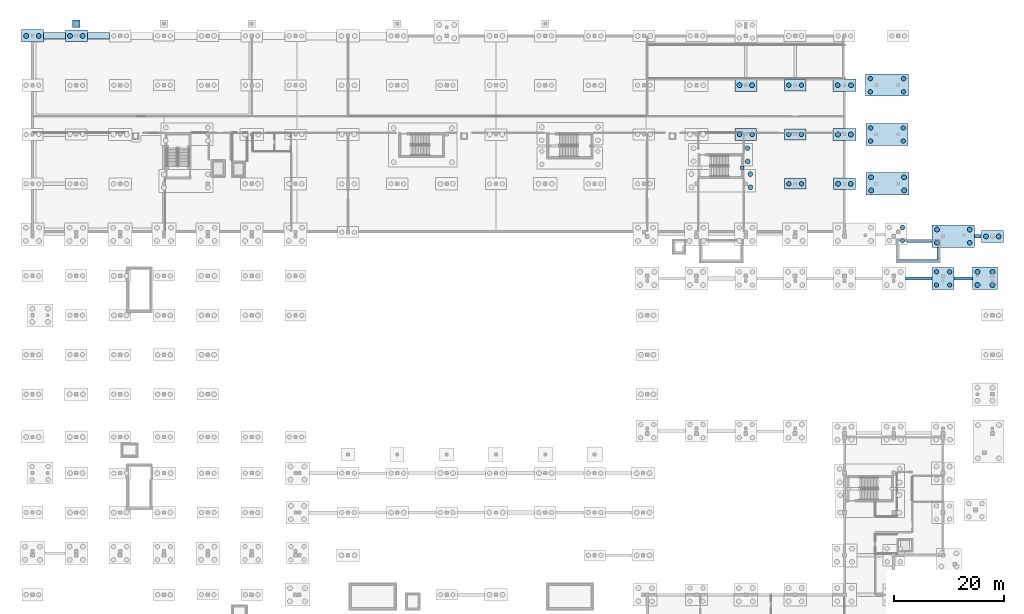
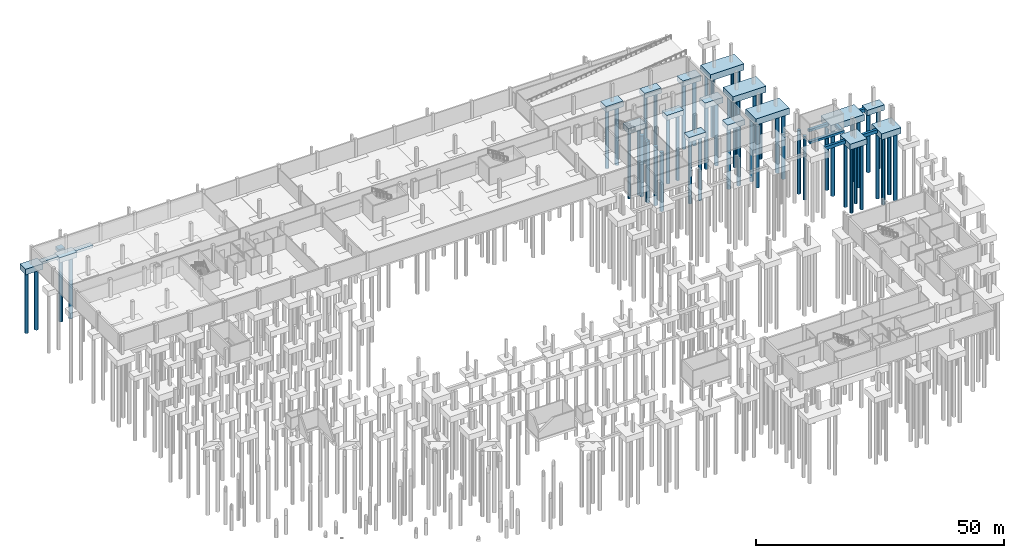
# One storey, part 11 of 36: 52 piles, 27 footings.
"""IFC4 building model written with IfcOpenShell, lengths in metres."""

from ifc_helpers import new_model, si_unit, direction, frame, origin, origin_2d, place, context, subcontext, project, spatial, rectangle, circle, extrude, material, layer, layer_set, material_profile, profile_set, type_object, element, save


model = new_model("IFC4")

# Units and contexts
model_context = context("Model", 3, precision=1e-05, world=origin(), true_north=direction((0.0, 1.0)))
body_context = subcontext(model_context, "Body", "Model", "MODEL_VIEW")
ifc_project = project(units=[si_unit("LENGTHUNIT", "METRE"), si_unit("AREAUNIT", "SQUARE_METRE"), si_unit("VOLUMEUNIT", "CUBIC_METRE"), si_unit("PLANEANGLEUNIT", "RADIAN"), si_unit("MASSUNIT", "GRAM", prefix="KILO")], contexts=[model_context])

# Site, building, storey
site_placement = place(None, origin())
site = spatial("IfcSite", under=ifc_project, at=site_placement, CompositionType="ELEMENT")
building_placement = place(site_placement, origin())
building = spatial("IfcBuilding", under=site, at=building_placement, Name="Chiffa Square Polytechnic", CompositionType="ELEMENT")
storey_placement = place(building_placement, frame((0.0, 0.0, -4.5)))
storey = spatial("IfcBuildingStorey", under=building, at=storey_placement, Name="B1", CompositionType="ELEMENT", Elevation=-4.5)

# Footings
ifc_material = material(Name="Concrete C35/45", Category="concrete")
ifc_layer_1 = layer(ifc_material, 0.81005859375, Name="Concrete C35/45")
ifc_layer_set_1 = layer_set([ifc_layer_1], Name="Concrete C35/45")
footing_type_1 = type_object("IfcFootingType", Name="FTG-BEAM-580X810", PredefinedType="FOOTING_BEAM", material=ifc_layer_set_1)
footing_1_placement = place(storey_placement, frame((161.787109375, 86.52490234375, -0.81005859375), z_axis=(0.0, 0.0, 1.0), x_axis=(1.0, 0.0, 0.0)))
element("IfcFooting", 1, at=footing_1_placement, inside=storey, type_object=footing_type_1, Name="Footing tie beam FB-B1-043", PredefinedType="FOOTING_BEAM", context=body_context, shape_type="SweptSolid", body=[
    extrude(rectangle(XDim=4.81494140625, YDim=0.580078125, at=origin_2d()), origin(), (0.0, 0.0, 1.0), 0.81005859375),
])
ifc_layer_2 = layer(ifc_material, 0.8349609375, Name="Concrete C35/45")
ifc_layer_set_2 = layer_set([ifc_layer_2], Name="Concrete C35/45")
footing_type_2 = type_object("IfcFootingType", Name="FTG-BEAM-600X835", PredefinedType="FOOTING_BEAM", material=ifc_layer_set_2)
footing_2_placement = place(storey_placement, frame((169.886962890625, 86.52490234375, -0.83544921875), z_axis=(0.0, 0.0, 1.0), x_axis=(1.0, 0.0, 0.0)))
element("IfcFooting", 2, at=footing_2_placement, inside=storey, type_object=footing_type_2, Name="Footing tie beam FB-B1-044", PredefinedType="FOOTING_BEAM", context=body_context, shape_type="SweptSolid", body=[
    extrude(rectangle(XDim=3.364990234375, YDim=0.60009765625, at=origin_2d()), origin(), (0.0, 0.0, 1.0), 0.8349609375),
])
ifc_layer_3 = layer(ifc_material, 0.860107421875, Name="Concrete C35/45")
ifc_layer_set_3 = layer_set([ifc_layer_3], Name="Concrete C35/45")
footing_type_3 = type_object("IfcFootingType", Name="FTG-BEAM-620X860", PredefinedType="FOOTING_BEAM", material=ifc_layer_set_3)
footing_3_placement = place(storey_placement, frame((172.574951171875, 94.25, -0.85986328125), z_axis=(0.0, 0.0, 1.0), x_axis=(1.0, 0.0, 0.0)))
element("IfcFooting", 3, at=footing_3_placement, inside=storey, type_object=footing_type_3, Name="Footing tie beam FB-B1-045", PredefinedType="FOOTING_BEAM", context=body_context, shape_type="SweptSolid", body=[
    extrude(rectangle(XDim=1.19091796875, YDim=0.6201171875, at=origin_2d()), origin(), (0.0, 0.0, 1.0), 0.860107421875),
])
ifc_layer_4 = layer(ifc_material, 0.89990234375, Name="Concrete C35/45")
ifc_layer_set_4 = layer_set([ifc_layer_4], Name="Concrete C35/45")
footing_type_4 = type_object("IfcFootingType", Name="FTG-PAD-1400X1400X900", PredefinedType="PAD_FOOTING", material=ifc_layer_set_4)
footing_4_placement = place(storey_placement, frame((8.0, 133.0, -0.89990234375), z_axis=(0.0, 0.0, 1.0), x_axis=(1.0, 0.0, 0.0)))
element("IfcFooting", 4, at=footing_4_placement, inside=storey, type_object=footing_type_4, Name="Apron slab support pad footing PF-APR-SUP-04", PredefinedType="PAD_FOOTING", context=body_context, shape_type="SweptSolid", body=[
    extrude(rectangle(XDim=1.39990234375, YDim=1.39990234375, at=origin_2d()), origin(), (0.0, 0.0, 1.0), 0.89990234375),
])
ifc_layer_5 = layer(ifc_material, 0.60009765625, Name="Concrete C35/45")
ifc_layer_set_5 = layer_set([ifc_layer_5], Name="Concrete C35/45")
footing_type_5 = type_object("IfcFootingType", Name="FTG-PAD-4559X620X600", PredefinedType="PAD_FOOTING", material=ifc_layer_set_5)
footing_5_placement = place(storey_placement, frame((161.89892578125, 93.39990234375, -0.60009765625), z_axis=(0.0, 0.0, 1.0), x_axis=(1.0, 0.0, 0.0)))
element("IfcFooting", 5, at=footing_5_placement, inside=storey, type_object=footing_type_5, Name="Core pad footing PFG-CORE-CORE-V2B-N1", PredefinedType="PAD_FOOTING", context=body_context, shape_type="SweptSolid", body=[
    extrude(rectangle(XDim=4.55908203125, YDim=0.6201171875, at=origin_2d()), origin(), (0.0, 0.0, 1.0), 0.60009765625),
])
ifc_layer_6 = layer(ifc_material, 0.60009765625, Name="Concrete C35/45")
ifc_layer_set_6 = layer_set([ifc_layer_6], Name="Concrete C35/45")
footing_type_6 = type_object("IfcFootingType", Name="FTG-PAD-620X2145X600", PredefinedType="PAD_FOOTING", material=ifc_layer_set_6)
footing_6_placement = place(storey_placement, frame((165.419921875, 91.10791015625, -0.60009765625), z_axis=(0.0, 0.0, 1.0), x_axis=(1.0, 0.0, 0.0)))
element("IfcFooting", 6, at=footing_6_placement, inside=storey, type_object=footing_type_6, Name="Core pad footing PFG-CORE-CORE-V2B-E1", PredefinedType="PAD_FOOTING", context=body_context, shape_type="SweptSolid", body=[
    extrude(rectangle(XDim=0.6201171875, YDim=2.14501953125, at=origin_2d()), origin(), (0.0, 0.0, 1.0), 0.60009765625),
])
ifc_layer_7 = layer(ifc_material, 0.60009765625, Name="Concrete C35/45")
ifc_layer_set_7 = layer_set([ifc_layer_7], Name="Concrete C35/45")
footing_type_7 = type_object("IfcFootingType", Name="FTG-PAD-620X585X600", PredefinedType="PAD_FOOTING", material=ifc_layer_set_7)
footing_7_placement = place(storey_placement, frame((129.52001953125, 106.737060546875, -0.60009765625), z_axis=(0.0, 0.0, 1.0), x_axis=(1.0, 0.0, 0.0)))
element("IfcFooting", 7, at=footing_7_placement, inside=storey, type_object=footing_type_7, Name="Core pad footing PFG-CORE-CORE-B1E-E1", PredefinedType="PAD_FOOTING", context=body_context, shape_type="SweptSolid", body=[
    extrude(rectangle(XDim=0.6201171875, YDim=0.5849609375, at=origin_2d()), origin(), (0.0, 0.0, 1.0), 0.60009765625),
])
ifc_layer_8 = layer(ifc_material, 0.60009765625, Name="Concrete C35/45")
ifc_layer_set_8 = layer_set([ifc_layer_8], Name="Concrete C35/45")
footing_type_8 = type_object("IfcFootingType", Name="FTG-PAD-8060X620X600", PredefinedType="PAD_FOOTING", material=ifc_layer_set_8)
footing_8_placement = place(storey_placement, frame((161.699951171875, 89.705078125, -0.60009765625), z_axis=(0.0, 0.0, 1.0), x_axis=(1.0, 0.0, 0.0)))
element("IfcFooting", 8, at=footing_8_placement, inside=storey, type_object=footing_type_8, Name="Core pad footing PFG-CORE-CORE-V2B-S1", PredefinedType="PAD_FOOTING", context=body_context, shape_type="SweptSolid", body=[
    extrude(rectangle(XDim=8.06005859375, YDim=0.6201171875, at=origin_2d()), origin(), (0.0, 0.0, 1.0), 0.60009765625),
])
ifc_layer_9 = layer(ifc_material, 1.199951171875, Name="Concrete C35/45")
ifc_layer_set_9 = layer_set([ifc_layer_9], Name="Concrete C35/45")
footing_type_9 = type_object("IfcFootingType", Name="FTG-PC-3900X1950X1200", PredefinedType="PILE_CAP", material=ifc_layer_set_9)
footing_9_placement = place(storey_placement, frame((139.199951171875, 103.800048828125, -1.2001953125), z_axis=(0.0, 0.0, 1.0), x_axis=(1.0, 0.0, 0.0)))
element("IfcFooting", 9, at=footing_9_placement, inside=storey, type_object=footing_type_9, Name="Pile cap PC-B1-177", PredefinedType="PILE_CAP", context=body_context, shape_type="SweptSolid", body=[
    extrude(rectangle(XDim=3.89990234375, YDim=1.949951171875, at=origin_2d()), origin(), (0.0, 0.0, 1.0), 1.199951171875),
])
ifc_layer_10 = layer(ifc_material, 1.25, Name="Concrete C35/45")
ifc_layer_set_10 = layer_set([ifc_layer_10], Name="Concrete C35/45")
footing_type_10 = type_object("IfcFootingType", Name="FTG-PC-3900X2000X1250", PredefinedType="PILE_CAP", material=ifc_layer_set_10)
footing_10_placement = place(storey_placement, frame((139.199951171875, 112.800048828125, -1.25), z_axis=(0.0, 0.0, 1.0), x_axis=(1.0, 0.0, 0.0)))
element("IfcFooting", 10, at=footing_10_placement, inside=storey, type_object=footing_type_10, Name="Pile cap PC-B1-178", PredefinedType="PILE_CAP", context=body_context, shape_type="SweptSolid", body=[
    extrude(rectangle(XDim=3.89990234375, YDim=2.0, at=origin_2d()), origin(), (0.0, 0.0, 1.0), 1.25),
])
ifc_layer_11 = layer(ifc_material, 1.25, Name="Concrete C35/45")
ifc_layer_set_11 = layer_set([ifc_layer_11], Name="Concrete C35/45")
footing_type_11 = type_object("IfcFootingType", Name="FTG-PC-3900X2050X1250", PredefinedType="PILE_CAP", material=ifc_layer_set_11)
footing_11_placement = place(storey_placement, frame((139.199951171875, 121.800048828125, -1.25), z_axis=(0.0, 0.0, 1.0), x_axis=(1.0, 0.0, 0.0)))
element("IfcFooting", 11, at=footing_11_placement, inside=storey, type_object=footing_type_11, Name="Pile cap PC-B1-179", PredefinedType="PILE_CAP", context=body_context, shape_type="SweptSolid", body=[
    extrude(rectangle(XDim=3.89990234375, YDim=2.050048828125, at=origin_2d()), origin(), (0.0, 0.0, 1.0), 1.25),
])
ifc_layer_12 = layer(ifc_material, 1.320068359375, Name="Concrete C35/45")
ifc_layer_set_12 = layer_set([ifc_layer_12], Name="Concrete C35/45")
footing_type_12 = type_object("IfcFootingType", Name="FTG-PC-3900X2250X1320", PredefinedType="PILE_CAP", material=ifc_layer_set_12)
footing_12_placement = place(storey_placement, frame((130.199951171875, 112.800048828125, -1.31982421875), z_axis=(0.0, 0.0, 1.0), x_axis=(1.0, 0.0, 0.0)))
element("IfcFooting", 12, at=footing_12_placement, inside=storey, type_object=footing_type_12, Name="Pile cap PC-B1-174", PredefinedType="PILE_CAP", context=body_context, shape_type="SweptSolid", body=[
    extrude(rectangle(XDim=3.89990234375, YDim=2.25, at=origin_2d()), origin(), (0.0, 0.0, 1.0), 1.320068359375),
])
ifc_layer_13 = layer(ifc_material, 1.300048828125, Name="Concrete C35/45")
ifc_layer_set_13 = layer_set([ifc_layer_13], Name="Concrete C35/45")
footing_type_13 = type_object("IfcFootingType", Name="FTG-PC-4000X2100X1300", PredefinedType="PILE_CAP", material=ifc_layer_set_13)
footing_13_placement = place(storey_placement, frame((8.0, 130.800048828125, -1.2998046875), z_axis=(0.0, 0.0, 1.0), x_axis=(1.0, 0.0, 0.0)))
element("IfcFooting", 13, at=footing_13_placement, inside=storey, type_object=footing_type_13, Name="Pile cap PC-B1-121", PredefinedType="PILE_CAP", context=body_context, shape_type="SweptSolid", body=[
    extrude(rectangle(XDim=4.0, YDim=2.10009765625, at=origin_2d()), origin(), (0.0, 0.0, 1.0), 1.300048828125),
])
ifc_layer_14 = layer(ifc_material, 1.3798828125, Name="Concrete C35/45")
ifc_layer_set_14 = layer_set([ifc_layer_14], Name="Concrete C35/45")
footing_type_14 = type_object("IfcFootingType", Name="FTG-PC-4000X2300X1380", PredefinedType="PILE_CAP", material=ifc_layer_set_14)
for number, where, z_axis, x_axis, name in (
    (14, (0.0, 130.800048828125, -1.3798828125), (0.0, 0.0, 1.0), (1.0, 0.0, 0.0), "Pile cap PC-B1-116"),
    (15, (130.199951171875, 121.800048828125, -1.3798828125), (0.0, 0.0, 1.0), (1.0, 0.0, 0.0), "Pile cap PC-B1-175"),
):
    element("IfcFooting", number, at=place(storey_placement, frame(where, z_axis=z_axis, x_axis=x_axis)), inside=storey, type_object=footing_type_14, Name=name, PredefinedType="PILE_CAP", context=body_context, shape_type="SweptSolid", body=[
        extrude(rectangle(XDim=4.0, YDim=2.300048828125, at=origin_2d()), origin(), (0.0, 0.0, 1.0), 1.3798828125),
    ])
ifc_layer_15 = layer(ifc_material, 1.39990234375, Name="Concrete C35/45")
ifc_layer_set_15 = layer_set([ifc_layer_15], Name="Concrete C35/45")
footing_type_15 = type_object("IfcFootingType", Name="FTG-PC-4000X4000X1400", PredefinedType="PILE_CAP", material=ifc_layer_set_15)
footing_14_placement = place(storey_placement, frame((166.199951171875, 86.52490234375, -1.39990234375), z_axis=(0.0, 0.0, 1.0), x_axis=(1.0, 0.0, 0.0)))
element("IfcFooting", 16, at=footing_14_placement, inside=storey, type_object=footing_type_15, Name="Pile cap PC-B1-043", PredefinedType="PILE_CAP", context=body_context, shape_type="SweptSolid", body=[
    extrude(rectangle(XDim=4.0, YDim=4.0, at=origin_2d()), origin(), (0.0, 0.0, 1.0), 1.39990234375),
])
ifc_layer_16 = layer(ifc_material, 1.300048828125, Name="Concrete C35/45")
ifc_layer_set_16 = layer_set([ifc_layer_16], Name="Concrete C35/45")
footing_type_16 = type_object("IfcFootingType", Name="FTG-PC-4050X2150X1300", PredefinedType="PILE_CAP", material=ifc_layer_set_16)
for number, where, z_axis, x_axis, name in (
    (17, (175.199951171875, 94.199951171875, -1.2998046875), (0.0, 0.0, 1.0), (1.0, 0.0, 0.0), "Pile cap PC-B1-050"),
    (18, (148.199951171875, 103.800048828125, -1.2998046875), (0.0, 0.0, 1.0), (1.0, 0.0, 0.0), "Pile cap PC-B1-181"),
):
    element("IfcFooting", number, at=place(storey_placement, frame(where, z_axis=z_axis, x_axis=x_axis)), inside=storey, type_object=footing_type_16, Name=name, PredefinedType="PILE_CAP", context=body_context, shape_type="SweptSolid", body=[
        extrude(rectangle(XDim=4.050048828125, YDim=2.14990234375, at=origin_2d()), origin(), (0.0, 0.0, 1.0), 1.300048828125),
    ])
ifc_layer_17 = layer(ifc_material, 1.35009765625, Name="Concrete C35/45")
ifc_layer_set_17 = layer_set([ifc_layer_17], Name="Concrete C35/45")
footing_type_17 = type_object("IfcFootingType", Name="FTG-PC-4150X2200X1350", PredefinedType="PILE_CAP", material=ifc_layer_set_17)
footing_15_placement = place(storey_placement, frame((148.199951171875, 112.800048828125, -1.35009765625), z_axis=(0.0, 0.0, 1.0), x_axis=(1.0, 0.0, 0.0)))
element("IfcFooting", 19, at=footing_15_placement, inside=storey, type_object=footing_type_17, Name="Pile cap PC-B1-182", PredefinedType="PILE_CAP", context=body_context, shape_type="SweptSolid", body=[
    extrude(rectangle(XDim=4.14990234375, YDim=2.199951171875, at=origin_2d()), origin(), (0.0, 0.0, 1.0), 1.35009765625),
])
ifc_layer_18 = layer(ifc_material, 1.35009765625, Name="Concrete C35/45")
ifc_layer_set_18 = layer_set([ifc_layer_18], Name="Concrete C35/45")
footing_type_18 = type_object("IfcFootingType", Name="FTG-PC-4250X2250X1350", PredefinedType="PILE_CAP", material=ifc_layer_set_18)
footing_16_placement = place(storey_placement, frame((148.199951171875, 121.800048828125, -1.35009765625), z_axis=(0.0, 0.0, 1.0), x_axis=(1.0, 0.0, 0.0)))
element("IfcFooting", 20, at=footing_16_placement, inside=storey, type_object=footing_type_18, Name="Pile cap PC-B1-183", PredefinedType="PILE_CAP", context=body_context, shape_type="SweptSolid", body=[
    extrude(rectangle(XDim=4.25, YDim=2.25, at=origin_2d()), origin(), (0.0, 0.0, 1.0), 1.35009765625),
])
ifc_layer_19 = layer(ifc_material, 1.47998046875, Name="Concrete C35/45")
ifc_layer_set_19 = layer_set([ifc_layer_19], Name="Concrete C35/45")
footing_type_19 = type_object("IfcFootingType", Name="FTG-PC-4550X4100X1480", PredefinedType="PILE_CAP", material=ifc_layer_set_19)
footing_17_placement = place(storey_placement, frame((173.85009765625, 86.52490234375, -1.47998046875), z_axis=(0.0, 0.0, 1.0), x_axis=(1.0, 0.0, 0.0)))
element("IfcFooting", 21, at=footing_17_placement, inside=storey, type_object=footing_type_19, Name="Pile cap PC-B1-049", PredefinedType="PILE_CAP", context=body_context, shape_type="SweptSolid", body=[
    extrude(rectangle(XDim=4.550048828125, YDim=4.10009765625, at=origin_2d()), origin(), (0.0, 0.0, 1.0), 1.47998046875),
])
ifc_layer_20 = layer(ifc_material, 1.550048828125, Name="Concrete C35/45")
ifc_layer_set_20 = layer_set([ifc_layer_20], Name="Concrete C35/45")
footing_type_20 = type_object("IfcFootingType", Name="FTG-PC-7675X4000X1550", PredefinedType="PILE_CAP", material=ifc_layer_set_20)
footing_18_placement = place(storey_placement, frame((155.962890625, 112.800048828125, -1.5498046875), z_axis=(0.0, 0.0, 1.0), x_axis=(1.0, 0.0, 0.0)))
element("IfcFooting", 22, at=footing_18_placement, inside=storey, type_object=footing_type_20, Name="Pile cap PC-B1-239", PredefinedType="PILE_CAP", context=body_context, shape_type="SweptSolid", body=[
    extrude(rectangle(XDim=7.675048828125, YDim=4.0, at=origin_2d()), origin(), (0.0, 0.0, 1.0), 1.550048828125),
])
ifc_layer_21 = layer(ifc_material, 1.550048828125, Name="Concrete C35/45")
ifc_layer_set_21 = layer_set([ifc_layer_21], Name="Concrete C35/45")
footing_type_21 = type_object("IfcFootingType", Name="FTG-PC-7775X4000X1550", PredefinedType="PILE_CAP", material=ifc_layer_set_21)
footing_19_placement = place(storey_placement, frame((155.9619140625, 121.800048828125, -1.5498046875), z_axis=(0.0, 0.0, 1.0), x_axis=(1.0, 0.0, 0.0)))
element("IfcFooting", 23, at=footing_19_placement, inside=storey, type_object=footing_type_21, Name="Pile cap PC-B1-240", PredefinedType="PILE_CAP", context=body_context, shape_type="SweptSolid", body=[
    extrude(rectangle(XDim=7.77490234375, YDim=4.0, at=origin_2d()), origin(), (0.0, 0.0, 1.0), 1.550048828125),
])
ifc_layer_22 = layer(ifc_material, 1.550048828125, Name="Concrete C35/45")
ifc_layer_set_22 = layer_set([ifc_layer_22], Name="Concrete C35/45")
footing_type_22 = type_object("IfcFootingType", Name="FTG-PC-7775X4100X1550", PredefinedType="PILE_CAP", material=ifc_layer_set_22)
footing_20_placement = place(storey_placement, frame((168.0869140625, 94.25, -1.5498046875), z_axis=(0.0, 0.0, 1.0), x_axis=(1.0, 0.0, 0.0)))
element("IfcFooting", 24, at=footing_20_placement, inside=storey, type_object=footing_type_22, Name="Pile cap PC-B1-044", PredefinedType="PILE_CAP", context=body_context, shape_type="SweptSolid", body=[
    extrude(rectangle(XDim=7.77490234375, YDim=4.10009765625, at=origin_2d()), origin(), (0.0, 0.0, 1.0), 1.550048828125),
])
ifc_layer_23 = layer(ifc_material, 1.550048828125, Name="Concrete C35/45")
ifc_layer_set_23 = layer_set([ifc_layer_23], Name="Concrete C35/45")
footing_type_23 = type_object("IfcFootingType", Name="FTG-PC-7825X4100X1550", PredefinedType="PILE_CAP", material=ifc_layer_set_23)
footing_21_placement = place(storey_placement, frame((156.087890625, 103.800048828125, -1.5498046875), z_axis=(0.0, 0.0, 1.0), x_axis=(1.0, 0.0, 0.0)))
element("IfcFooting", 25, at=footing_21_placement, inside=storey, type_object=footing_type_23, Name="Pile cap PC-B1-238", PredefinedType="PILE_CAP", context=body_context, shape_type="SweptSolid", body=[
    extrude(rectangle(XDim=7.824951171875, YDim=4.10009765625, at=origin_2d()), origin(), (0.0, 0.0, 1.0), 1.550048828125),
])
ifc_layer_24 = layer(ifc_material, 0.580078125, Name="Concrete C35/45")
ifc_layer_set_24 = layer_set([ifc_layer_24], Name="Concrete C35/45")
footing_type_24 = type_object("IfcFootingType", Name="FTG-STRIP-1150X580", PredefinedType="STRIP_FOOTING", material=ifc_layer_set_24)
footing_22_placement = place(storey_placement, frame((4.0, 130.800048828125, -0.580078125), z_axis=(0.0, 0.0, 1.0), x_axis=(1.0, 0.0, 0.0)))
element("IfcFooting", 26, at=footing_22_placement, inside=storey, type_object=footing_type_24, Name="Retaining wall strip footing SFG-B1-01", PredefinedType="STRIP_FOOTING", context=body_context, shape_type="SweptSolid", body=[
    extrude(rectangle(XDim=3.989990234375, YDim=1.14990234375, at=origin_2d()), origin(), (0.0, 0.0, 1.0), 0.580078125),
])
ifc_layer_25 = layer(ifc_material, 0.60498046875, Name="Concrete C35/45")
ifc_layer_set_25 = layer_set([ifc_layer_25], Name="Concrete C35/45")
footing_type_25 = type_object("IfcFootingType", Name="FTG-STRIP-1200X605", PredefinedType="STRIP_FOOTING", material=ifc_layer_set_25)
footing_23_placement = place(storey_placement, frame((12.02490234375, 130.800048828125, -0.60546875), z_axis=(0.0, 0.0, 1.0), x_axis=(1.0, 0.0, 0.0)))
element("IfcFooting", 27, at=footing_23_placement, inside=storey, type_object=footing_type_25, Name="Retaining wall strip footing SFG-B1-02", PredefinedType="STRIP_FOOTING", context=body_context, shape_type="SweptSolid", body=[
    extrude(rectangle(XDim=4.0400390625, YDim=1.199951171875, at=origin_2d()), origin(), (0.0, 0.0, 1.0), 0.60498046875),
])

# Piles
ifc_material_profile_1 = material_profile(ifc_material, circle(Radius=0.39990234375, at=origin_2d()), Name="PILE D800")
ifc_profile_set_1 = profile_set([ifc_material_profile_1], Name="Concrete C35/45")
pile_type_1 = type_object("IfcPileType", Name="PILE-D800", PredefinedType="BORED", material=ifc_profile_set_1)
for number, where, z_axis, x_axis, name in (
    (28, (158.800048828125, 93.425048828125, -1.300048828125), (0.0, 0.0, -1.0), (1.0, 0.0, 0.0), "Bored pile PL-B1-1588-0934-2"),
    (29, (158.800048828125, 95.824951171875, -1.300048828125), (0.0, 0.0, -1.0), (1.0, 0.0, 0.0), "Bored pile PL-B1-1588-0958-4"),
):
    element("IfcPile", number, at=place(storey_placement, frame(where, z_axis=z_axis, x_axis=x_axis)), inside=storey, type_object=pile_type_1, Name=name, PredefinedType="BORED", context=body_context, shape_type="SweptSolid", body=[
        extrude(circle(Radius=0.39990234375, at=origin_2d()), origin(), (0.0, 0.0, 1.0), 15.699951171875),
    ])
for number, where, z_axis, x_axis, name in (
    (30, (165.0, 85.324951171875, -1.300048828125), (0.0, 0.0, -1.0), (1.0, 0.0, 0.0), "Bored pile PL-B1-1650-0853-1"),
    (31, (167.39990234375, 85.324951171875, -1.300048828125), (0.0, 0.0, -1.0), (1.0, 0.0, 0.0), "Bored pile PL-B1-1674-0853-2"),
    (32, (165.0, 87.72509765625, -1.300048828125), (0.0, 0.0, -1.0), (1.0, 0.0, 0.0), "Bored pile PL-B1-1650-0877-3"),
    (33, (167.39990234375, 87.72509765625, -1.300048828125), (0.0, 0.0, -1.0), (1.0, 0.0, 0.0), "Bored pile PL-B1-1674-0877-4"),
):
    element("IfcPile", number, at=place(storey_placement, frame(where, z_axis=z_axis, x_axis=x_axis)), inside=storey, type_object=pile_type_1, Name=name, PredefinedType="BORED", context=body_context, shape_type="SweptSolid", body=[
        extrude(circle(Radius=0.39990234375, at=origin_2d()), origin(), (0.0, 0.0, 1.0), 16.199951171875),
    ])
for number, where, z_axis, x_axis, name in (
    (34, (129.050048828125, 112.800048828125, -1.219970703125), (0.0, 0.0, -1.0), (1.0, 0.0, 0.0), "Bored pile PL-B1-1290-1128-1"),
    (35, (131.35009765625, 112.800048828125, -1.219970703125), (0.0, 0.0, -1.0), (1.0, 0.0, 0.0), "Bored pile PL-B1-1314-1128-2"),
):
    element("IfcPile", number, at=place(storey_placement, frame(where, z_axis=z_axis, x_axis=x_axis)), inside=storey, type_object=pile_type_1, Name=name, PredefinedType="BORED", context=body_context, shape_type="SweptSolid", body=[
        extrude(circle(Radius=0.39990234375, at=origin_2d()), origin(), (0.0, 0.0, 1.0), 16.780029296875),
    ])
for number, where, z_axis, x_axis, name in (
    (36, (138.050048828125, 103.800048828125, -1.10009765625), (0.0, 0.0, -1.0), (1.0, 0.0, 0.0), "Bored pile PL-B1-1380-1038-1"),
    (37, (140.35009765625, 103.800048828125, -1.10009765625), (0.0, 0.0, -1.0), (1.0, 0.0, 0.0), "Bored pile PL-B1-1404-1038-2"),
):
    element("IfcPile", number, at=place(storey_placement, frame(where, z_axis=z_axis, x_axis=x_axis)), inside=storey, type_object=pile_type_1, Name=name, PredefinedType="BORED", context=body_context, shape_type="SweptSolid", body=[
        extrude(circle(Radius=0.39990234375, at=origin_2d()), origin(), (0.0, 0.0, 1.0), 15.89990234375),
    ])
for number, where, z_axis, x_axis, name in (
    (38, (138.050048828125, 112.800048828125, -1.14990234375), (0.0, 0.0, -1.0), (1.0, 0.0, 0.0), "Bored pile PL-B1-1380-1128-1"),
    (39, (140.35009765625, 112.800048828125, -1.14990234375), (0.0, 0.0, -1.0), (1.0, 0.0, 0.0), "Bored pile PL-B1-1404-1128-2"),
):
    element("IfcPile", number, at=place(storey_placement, frame(where, z_axis=z_axis, x_axis=x_axis)), inside=storey, type_object=pile_type_1, Name=name, PredefinedType="BORED", context=body_context, shape_type="SweptSolid", body=[
        extrude(circle(Radius=0.39990234375, at=origin_2d()), origin(), (0.0, 0.0, 1.0), 16.35009765625),
    ])
for number, where, z_axis, x_axis, name in (
    (40, (138.050048828125, 121.800048828125, -1.14990234375), (0.0, 0.0, -1.0), (1.0, 0.0, 0.0), "Bored pile PL-B1-1380-1218-1"),
    (41, (140.35009765625, 121.800048828125, -1.14990234375), (0.0, 0.0, -1.0), (1.0, 0.0, 0.0), "Bored pile PL-B1-1404-1218-2"),
):
    element("IfcPile", number, at=place(storey_placement, frame(where, z_axis=z_axis, x_axis=x_axis)), inside=storey, type_object=pile_type_1, Name=name, PredefinedType="BORED", context=body_context, shape_type="SweptSolid", body=[
        extrude(circle(Radius=0.39990234375, at=origin_2d()), origin(), (0.0, 0.0, 1.0), 16.85009765625),
    ])
for number, where, z_axis, x_axis, name in (
    (42, (152.97607421875, 111.60009765625, -1.449951171875), (0.0, 0.0, -1.0), (1.0, 0.0, 0.0), "Bored pile PL-B1-1530-1116-1"),
    (43, (158.949951171875, 111.60009765625, -1.449951171875), (0.0, 0.0, -1.0), (1.0, 0.0, 0.0), "Bored pile PL-B1-1590-1116-2"),
    (44, (152.97607421875, 114.0, -1.449951171875), (0.0, 0.0, -1.0), (1.0, 0.0, 0.0), "Bored pile PL-B1-1530-1140-3"),
    (45, (158.949951171875, 114.0, -1.449951171875), (0.0, 0.0, -1.0), (1.0, 0.0, 0.0), "Bored pile PL-B1-1590-1140-4"),
):
    element("IfcPile", number, at=place(storey_placement, frame(where, z_axis=z_axis, x_axis=x_axis)), inside=storey, type_object=pile_type_1, Name=name, PredefinedType="BORED", context=body_context, shape_type="SweptSolid", body=[
        extrude(circle(Radius=0.39990234375, at=origin_2d()), origin(), (0.0, 0.0, 1.0), 16.550048828125),
    ])
for number, where, z_axis, x_axis, name in (
    (46, (152.924072265625, 120.60009765625, -1.449951171875), (0.0, 0.0, -1.0), (1.0, 0.0, 0.0), "Bored pile PL-B1-1529-1206-1"),
    (47, (159.0, 120.60009765625, -1.449951171875), (0.0, 0.0, -1.0), (1.0, 0.0, 0.0), "Bored pile PL-B1-1590-1206-2"),
    (48, (152.924072265625, 123.0, -1.449951171875), (0.0, 0.0, -1.0), (1.0, 0.0, 0.0), "Bored pile PL-B1-1529-1230-3"),
    (49, (159.0, 123.0, -1.449951171875), (0.0, 0.0, -1.0), (1.0, 0.0, 0.0), "Bored pile PL-B1-1590-1230-4"),
):
    element("IfcPile", number, at=place(storey_placement, frame(where, z_axis=z_axis, x_axis=x_axis)), inside=storey, type_object=pile_type_1, Name=name, PredefinedType="BORED", context=body_context, shape_type="SweptSolid", body=[
        extrude(circle(Radius=0.39990234375, at=origin_2d()), origin(), (0.0, 0.0, 1.0), 14.550048828125),
    ])
ifc_material_profile_2 = material_profile(ifc_material, circle(Radius=0.449951171875, at=origin_2d()), Name="PILE D900")
ifc_profile_set_2 = profile_set([ifc_material_profile_2], Name="Concrete C35/45")
pile_type_2 = type_object("IfcPileType", Name="PILE-D900", PredefinedType="BORED", material=ifc_profile_set_2)
for number, where, z_axis, x_axis, name in (
    (50, (165.10009765625, 93.050048828125, -1.449951171875), (0.0, 0.0, -1.0), (1.0, 0.0, 0.0), "Bored pile PL-B1-1651-0930-1"),
    (51, (171.073974609375, 93.050048828125, -1.449951171875), (0.0, 0.0, -1.0), (1.0, 0.0, 0.0), "Bored pile PL-B1-1711-0930-2"),
    (52, (165.10009765625, 95.449951171875, -1.449951171875), (0.0, 0.0, -1.0), (1.0, 0.0, 0.0), "Bored pile PL-B1-1651-0954-3"),
    (53, (171.073974609375, 95.449951171875, -1.449951171875), (0.0, 0.0, -1.0), (1.0, 0.0, 0.0), "Bored pile PL-B1-1711-0954-4"),
):
    element("IfcPile", number, at=place(storey_placement, frame(where, z_axis=z_axis, x_axis=x_axis)), inside=storey, type_object=pile_type_2, Name=name, PredefinedType="BORED", context=body_context, shape_type="SweptSolid", body=[
        extrude(circle(Radius=0.449951171875, at=origin_2d()), origin(), (0.0, 0.0, 1.0), 16.550048828125),
    ])
for number, where, z_axis, x_axis, name in (
    (54, (172.47509765625, 85.324951171875, -1.3798828125), (0.0, 0.0, -1.0), (1.0, 0.0, 0.0), "Bored pile PL-B1-1725-0853-1"),
    (55, (175.22509765625, 85.324951171875, -1.3798828125), (0.0, 0.0, -1.0), (1.0, 0.0, 0.0), "Bored pile PL-B1-1752-0853-2"),
    (56, (172.47509765625, 87.72509765625, -1.3798828125), (0.0, 0.0, -1.0), (1.0, 0.0, 0.0), "Bored pile PL-B1-1725-0877-3"),
    (57, (175.22509765625, 87.72509765625, -1.3798828125), (0.0, 0.0, -1.0), (1.0, 0.0, 0.0), "Bored pile PL-B1-1752-0877-4"),
):
    element("IfcPile", number, at=place(storey_placement, frame(where, z_axis=z_axis, x_axis=x_axis)), inside=storey, type_object=pile_type_2, Name=name, PredefinedType="BORED", context=body_context, shape_type="SweptSolid", body=[
        extrude(circle(Radius=0.449951171875, at=origin_2d()), origin(), (0.0, 0.0, 1.0), 16.6201171875),
    ])
for number, where, z_axis, x_axis, name in (
    (58, (174.050048828125, 94.199951171875, -1.199951171875), (0.0, 0.0, -1.0), (1.0, 0.0, 0.0), "Bored pile PL-B1-1740-0942-1"),
    (59, (176.35009765625, 94.199951171875, -1.199951171875), (0.0, 0.0, -1.0), (1.0, 0.0, 0.0), "Bored pile PL-B1-1764-0942-2"),
):
    element("IfcPile", number, at=place(storey_placement, frame(where, z_axis=z_axis, x_axis=x_axis)), inside=storey, type_object=pile_type_2, Name=name, PredefinedType="BORED", context=body_context, shape_type="SweptSolid", body=[
        extrude(circle(Radius=0.449951171875, at=origin_2d()), origin(), (0.0, 0.0, 1.0), 14.800048828125),
    ])
for number, where, z_axis, x_axis, name in (
    (60, (-1.14990234375, 130.800048828125, -1.280029296875), (0.0, 0.0, -1.0), (1.0, 0.0, 0.0), "Bored pile PL-B1--012-1308-1"),
    (61, (1.14990234375, 130.800048828125, -1.280029296875), (0.0, 0.0, -1.0), (1.0, 0.0, 0.0), "Bored pile PL-B1-0012-1308-2"),
):
    element("IfcPile", number, at=place(storey_placement, frame(where, z_axis=z_axis, x_axis=x_axis)), inside=storey, type_object=pile_type_2, Name=name, PredefinedType="BORED", context=body_context, shape_type="SweptSolid", body=[
        extrude(circle(Radius=0.449951171875, at=origin_2d()), origin(), (0.0, 0.0, 1.0), 15.219970703125),
    ])
for number, where, z_axis, x_axis, name in (
    (62, (6.85009765625, 130.800048828125, -1.199951171875), (0.0, 0.0, -1.0), (1.0, 0.0, 0.0), "Bored pile PL-B1-0068-1308-1"),
    (63, (9.14990234375, 130.800048828125, -1.199951171875), (0.0, 0.0, -1.0), (1.0, 0.0, 0.0), "Bored pile PL-B1-0092-1308-2"),
):
    element("IfcPile", number, at=place(storey_placement, frame(where, z_axis=z_axis, x_axis=x_axis)), inside=storey, type_object=pile_type_2, Name=name, PredefinedType="BORED", context=body_context, shape_type="SweptSolid", body=[
        extrude(circle(Radius=0.449951171875, at=origin_2d()), origin(), (0.0, 0.0, 1.0), 15.300048828125),
    ])
for number, where, z_axis, x_axis, name in (
    (64, (131.02490234375, 103.175048828125, -1.449951171875), (0.0, 0.0, -1.0), (1.0, 0.0, 0.0), "Bored pile PL-B1-1310-1032-2"),
    (65, (131.02490234375, 105.574951171875, -1.449951171875), (0.0, 0.0, -1.0), (1.0, 0.0, 0.0), "Bored pile PL-B1-1310-1056-4"),
):
    element("IfcPile", number, at=place(storey_placement, frame(where, z_axis=z_axis, x_axis=x_axis)), inside=storey, type_object=pile_type_2, Name=name, PredefinedType="BORED", context=body_context, shape_type="SweptSolid", body=[
        extrude(circle(Radius=0.449951171875, at=origin_2d()), origin(), (0.0, 0.0, 1.0), 14.550048828125),
    ])
for number, where, z_axis, x_axis, name in (
    (66, (129.050048828125, 121.800048828125, -1.280029296875), (0.0, 0.0, -1.0), (1.0, 0.0, 0.0), "Bored pile PL-B1-1290-1218-1"),
    (67, (131.35009765625, 121.800048828125, -1.280029296875), (0.0, 0.0, -1.0), (1.0, 0.0, 0.0), "Bored pile PL-B1-1314-1218-2"),
):
    element("IfcPile", number, at=place(storey_placement, frame(where, z_axis=z_axis, x_axis=x_axis)), inside=storey, type_object=pile_type_2, Name=name, PredefinedType="BORED", context=body_context, shape_type="SweptSolid", body=[
        extrude(circle(Radius=0.449951171875, at=origin_2d()), origin(), (0.0, 0.0, 1.0), 14.719970703125),
    ])
for number, where, z_axis, x_axis, name in (
    (68, (147.050048828125, 103.800048828125, -1.199951171875), (0.0, 0.0, -1.0), (1.0, 0.0, 0.0), "Bored pile PL-B1-1470-1038-1"),
    (69, (149.35009765625, 103.800048828125, -1.199951171875), (0.0, 0.0, -1.0), (1.0, 0.0, 0.0), "Bored pile PL-B1-1494-1038-2"),
):
    element("IfcPile", number, at=place(storey_placement, frame(where, z_axis=z_axis, x_axis=x_axis)), inside=storey, type_object=pile_type_2, Name=name, PredefinedType="BORED", context=body_context, shape_type="SweptSolid", body=[
        extrude(circle(Radius=0.449951171875, at=origin_2d()), origin(), (0.0, 0.0, 1.0), 15.300048828125),
    ])
for number, where, z_axis, x_axis, name in (
    (70, (147.02490234375, 112.800048828125, -1.25), (0.0, 0.0, -1.0), (1.0, 0.0, 0.0), "Bored pile PL-B1-1470-1128-1"),
    (71, (149.375, 112.800048828125, -1.25), (0.0, 0.0, -1.0), (1.0, 0.0, 0.0), "Bored pile PL-B1-1494-1128-2"),
):
    element("IfcPile", number, at=place(storey_placement, frame(where, z_axis=z_axis, x_axis=x_axis)), inside=storey, type_object=pile_type_2, Name=name, PredefinedType="BORED", context=body_context, shape_type="SweptSolid", body=[
        extrude(circle(Radius=0.449951171875, at=origin_2d()), origin(), (0.0, 0.0, 1.0), 15.75),
    ])
for number, where, z_axis, x_axis, name in (
    (72, (146.97509765625, 121.800048828125, -1.25), (0.0, 0.0, -1.0), (1.0, 0.0, 0.0), "Bored pile PL-B1-1470-1218-1"),
    (73, (149.425048828125, 121.800048828125, -1.25), (0.0, 0.0, -1.0), (1.0, 0.0, 0.0), "Bored pile PL-B1-1494-1218-2"),
):
    element("IfcPile", number, at=place(storey_placement, frame(where, z_axis=z_axis, x_axis=x_axis)), inside=storey, type_object=pile_type_2, Name=name, PredefinedType="BORED", context=body_context, shape_type="SweptSolid", body=[
        extrude(circle(Radius=0.449951171875, at=origin_2d()), origin(), (0.0, 0.0, 1.0), 16.25),
    ])
for number, where, z_axis, x_axis, name in (
    (74, (130.551025390625, 107.89990234375, -1.449951171875), (0.0, 0.0, -1.0), (1.0, 0.0, 0.0), "Bored pile PL-B1-1306-1079-2"),
    (75, (130.551025390625, 110.300048828125, -1.449951171875), (0.0, 0.0, -1.0), (1.0, 0.0, 0.0), "Bored pile PL-B1-1306-1103-4"),
):
    element("IfcPile", number, at=place(storey_placement, frame(where, z_axis=z_axis, x_axis=x_axis)), inside=storey, type_object=pile_type_2, Name=name, PredefinedType="BORED", context=body_context, shape_type="SweptSolid", body=[
        extrude(circle(Radius=0.449951171875, at=origin_2d()), origin(), (0.0, 0.0, 1.0), 15.050048828125),
    ])
for number, where, z_axis, x_axis, name in (
    (76, (153.075927734375, 102.60009765625, -1.449951171875), (0.0, 0.0, -1.0), (1.0, 0.0, 0.0), "Bored pile PL-B1-1531-1026-1"),
    (77, (159.10009765625, 102.60009765625, -1.449951171875), (0.0, 0.0, -1.0), (1.0, 0.0, 0.0), "Bored pile PL-B1-1591-1026-2"),
    (78, (153.075927734375, 105.0, -1.449951171875), (0.0, 0.0, -1.0), (1.0, 0.0, 0.0), "Bored pile PL-B1-1531-1050-3"),
    (79, (159.10009765625, 105.0, -1.449951171875), (0.0, 0.0, -1.0), (1.0, 0.0, 0.0), "Bored pile PL-B1-1591-1050-4"),
):
    element("IfcPile", number, at=place(storey_placement, frame(where, z_axis=z_axis, x_axis=x_axis)), inside=storey, type_object=pile_type_2, Name=name, PredefinedType="BORED", context=body_context, shape_type="SweptSolid", body=[
        extrude(circle(Radius=0.449951171875, at=origin_2d()), origin(), (0.0, 0.0, 1.0), 16.050048828125),
    ])

save(model, "model.ifc")
